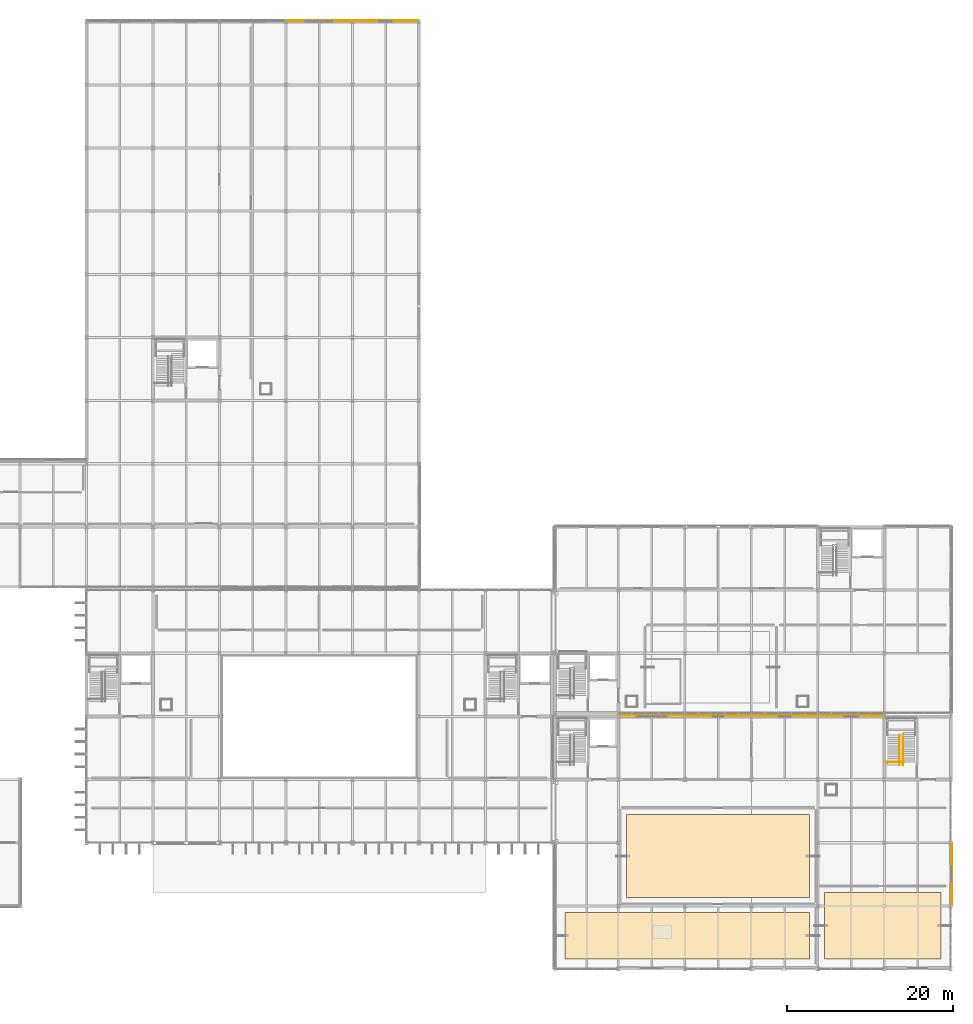
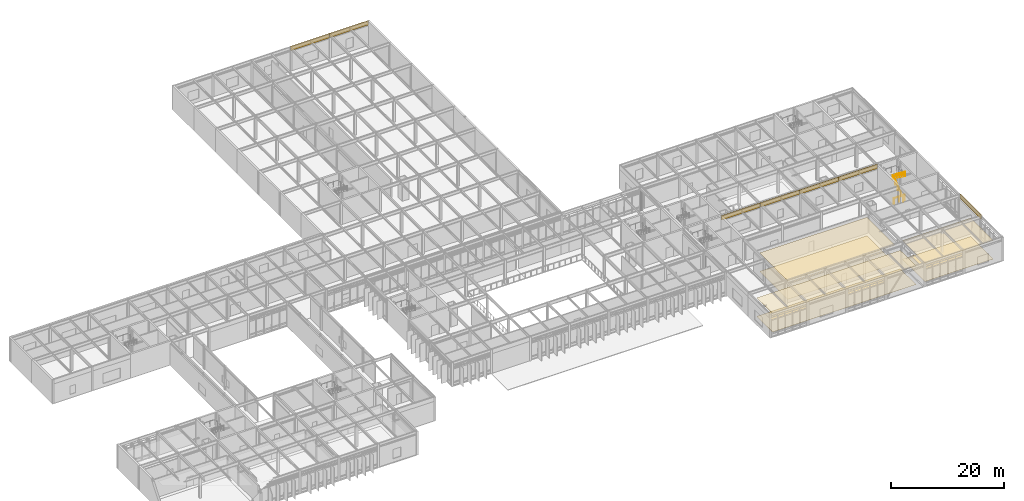
# One storey, part 93 of 94: 13 coverings, 3 railings.
"""IFC4 building model written with IfcOpenShell, lengths in metres."""

from ifc_helpers import new_model, si_unit, direction, frame, origin, origin_2d, place, context, subcontext, project, spatial, polyline, rectangle, circle, outline, extrude, material, layer, layer_set, type_object, element, save


model = new_model("IFC4")

# Units and contexts
model_context = context("Model", 3, precision=1e-05, world=origin(), true_north=direction((0.0, 1.0)))
body_context = subcontext(model_context, "Body", "Model", "MODEL_VIEW")
ifc_project = project(units=[si_unit("LENGTHUNIT", "METRE"), si_unit("AREAUNIT", "SQUARE_METRE"), si_unit("VOLUMEUNIT", "CUBIC_METRE"), si_unit("PLANEANGLEUNIT", "RADIAN"), si_unit("MASSUNIT", "GRAM", prefix="KILO")], contexts=[model_context])

# Site, building, storey
site_placement = place(None, origin())
site = spatial("IfcSite", under=ifc_project, at=site_placement, CompositionType="ELEMENT")
building_placement = place(site_placement, origin())
building = spatial("IfcBuilding", under=site, at=building_placement, Name="Zulena Civic Courthouse", CompositionType="ELEMENT")
storey_placement = place(building_placement, frame((0.0, 0.0, 5.39990234375)))
storey = spatial("IfcBuildingStorey", under=building, at=storey_placement, Name="L01", CompositionType="ELEMENT", Elevation=5.39990234375)

# Coverings
ifc_material_1 = material(Name="Perforated acoustic mineral-fibre ceiling tile", Category="concrete")
ifc_layer_1 = layer(ifc_material_1, 0.02490234375)
ifc_layer_set_1 = layer_set([ifc_layer_1], Name="Perforated acoustic mineral-fibre ceiling tile")
covering_type_1 = type_object("IfcCoveringType", Name="AcousticCeiling_25", PredefinedType="CEILING", material=ifc_layer_set_1)
covering_1_placement = place(storey_placement, frame((0.0, 0.0, 4.02001953125)))
element("IfcCovering", 1, at=covering_1_placement, inside=storey, type_object=covering_type_1, Name="ceil:L01:215", PredefinedType="CEILING", context=body_context, shape_type="SweptSolid", body=[
    extrude(outline(polyline([(133.0, 8.60009765625), (155.0, 8.60009765625), (155.0, 18.60009765625), (133.0, 18.60009765625), (133.0, 8.60009765625)])), origin(), (0.0, 0.0, 1.0), 0.025146484375),
])
covering_2_placement = place(storey_placement, frame((0.0, 0.0, 4.02001953125)))
element("IfcCovering", 2, at=covering_2_placement, inside=storey, type_object=covering_type_1, Name="ceil:L01:216", PredefinedType="CEILING", context=body_context, shape_type="SweptSolid", body=[
    extrude(outline(polyline([(125.60009765625, 1.199951171875), (155.0, 1.199951171875), (155.0, 6.800048828125), (125.60009765625, 6.800048828125), (125.60009765625, 1.199951171875)])), origin(), (0.0, 0.0, 1.0), 0.025146484375),
])
covering_3_placement = place(storey_placement, frame((0.0, 0.0, 4.02001953125)))
element("IfcCovering", 3, at=covering_3_placement, inside=storey, type_object=covering_type_1, Name="ceil:L01:217", PredefinedType="CEILING", context=body_context, shape_type="SweptSolid", body=[
    extrude(outline(polyline([(156.800048828125, 1.199951171875), (170.800048828125, 1.199951171875), (170.800048828125, 9.199951171875), (156.800048828125, 9.199951171875), (156.800048828125, 1.199951171875)])), origin(), (0.0, 0.0, 1.0), 0.025146484375),
])

# Railing
ifc_material_2 = material(Name="Brushed architectural steel ASTM A36", Category="steel")
railing_type_1 = type_object("IfcRailingType", Name="InteriorGuardrail_1150", PredefinedType="GUARDRAIL", material=ifc_material_2)
railing_1_placement = place(storey_placement, frame((164.179931640625, 24.89990234375, 0.0)))
element("IfcRailing", 4, at=railing_1_placement, inside=storey, type_object=railing_type_1, Name="gr:wells:K1B:L01", PredefinedType="GUARDRAIL", context=body_context, shape_type="SweptSolid", body=[
    extrude(circle(Radius=0.02392578125, at=origin_2d()), frame((0.00390625, 0.0, 1.1259765625), z_axis=(1.0, 0.0, 0.0), x_axis=(0.0, 1.0, 0.0)), (0.0, 0.0, 1.0), 2.112060546875),
    extrude(circle(Radius=0.02099609375, at=origin_2d()), origin(), (0.0, 0.0, 1.0), 1.097900390625),
    extrude(circle(Radius=0.02099609375, at=origin_2d()), frame((1.06005859375, 0.0, 0.0)), (0.0, 0.0, 1.0), 1.097900390625),
    extrude(circle(Radius=0.02099609375, at=origin_2d()), frame((2.1201171875, 0.0, 0.0)), (0.0, 0.0, 1.0), 1.097900390625),
])

# Coverings
ifc_material_3 = material(Name="White architectural precast concrete C40/50", Category="concrete")
ifc_layer_2 = layer(ifc_material_3, 0.0849609375)
ifc_layer_set_2 = layer_set([ifc_layer_2], Name="White architectural precast concrete C40/50")
covering_type_2 = type_object("IfcCoveringType", Name="PrecastSpandrelCladding_85", PredefinedType="CLADDING", material=ifc_layer_set_2)
for number, where, z_axis, x_axis, name in (
    (5, (136.0, 30.52001953125, 4.250244140625), (0.0, 0.0, 1.0), (1.0, 0.0, 0.0), "clad:sp:V1:L01:1:1"),
    (6, (144.0, 30.52001953125, 4.250244140625), (0.0, 0.0, 1.0), (1.0, 0.0, 0.0), "clad:sp:V1:L01:1:2"),
    (7, (152.0, 30.52001953125, 4.250244140625), (0.0, 0.0, 1.0), (1.0, 0.0, 0.0), "clad:sp:V1:L01:1:3"),
    (8, (160.0, 30.52001953125, 4.250244140625), (0.0, 0.0, 1.0), (1.0, 0.0, 0.0), "clad:sp:V1:L01:1:4"),
):
    element("IfcCovering", number, at=place(storey_placement, frame(where, z_axis=z_axis, x_axis=x_axis)), inside=storey, type_object=covering_type_2, Name=name, PredefinedType="CLADDING", context=body_context, shape_type="SweptSolid", body=[
        extrude(rectangle(XDim=7.9599609375, YDim=0.0849609375, at=origin_2d()), origin(), (0.0, 0.0, 1.0), 0.93994140625),
    ])
covering_4_placement = place(storey_placement, frame((172.1201171875, 11.39990234375, 4.250244140625), z_axis=(0.0, 0.0, 1.0), x_axis=(0.0, -1.0, 0.0)))
element("IfcCovering", 9, at=covering_4_placement, inside=storey, type_object=covering_type_2, Name="clad:sp:V1:L01:2:2", PredefinedType="CLADDING", context=body_context, shape_type="SweptSolid", body=[
    extrude(rectangle(XDim=7.56005859375, YDim=0.0849609375, at=origin_2d()), origin(), (0.0, 0.0, 1.0), 0.93994140625),
])
for number, where, z_axis, x_axis, name in (
    (10, (96.0, 114.1201171875, 4.250244140625), (0.0, 0.0, 1.0), (1.0, 0.0, 0.0), "clad:sp:V5:L01:3:3"),
    (11, (104.0, 114.1201171875, 4.250244140625), (0.0, 0.0, 1.0), (1.0, 0.0, 0.0), "clad:sp:V5:L01:3:4"),
):
    element("IfcCovering", number, at=place(storey_placement, frame(where, z_axis=z_axis, x_axis=x_axis)), inside=storey, type_object=covering_type_2, Name=name, PredefinedType="CLADDING", context=body_context, shape_type="SweptSolid", body=[
        extrude(rectangle(XDim=7.9599609375, YDim=0.0849609375, at=origin_2d()), origin(), (0.0, 0.0, 1.0), 0.93994140625),
    ])

# Railings
railing_type_2 = type_object("IfcRailingType", Name="StairHandrail_920", PredefinedType="HANDRAIL", material=ifc_material_2)
railing_2_placement = place(storey_placement, frame((165.85009765625, 24.580078125, 0.0)))
element("IfcRailing", 12, at=railing_2_placement, inside=storey, type_object=railing_type_2, Name="hr:K1B:L01:1", PredefinedType="HANDRAIL", context=body_context, shape_type="SweptSolid", body=[
    extrude(circle(Radius=0.02392578125, at=origin_2d()), frame((0.0, 0.003173828125, 0.898193359375), z_axis=(0.0, 0.797525546601, 0.603285175119), x_axis=(-1.0, 0.0, 0.0)), (0.0, 0.0, 1.0), 4.4677734375),
    extrude(circle(Radius=0.02099609375, at=origin_2d()), origin(), (0.0, 0.0, 1.0), 0.867919921875),
    extrude(circle(Radius=0.02099609375, at=origin_2d()), frame((0.0, 0.892333984375, 0.675048828125)), (0.0, 0.0, 1.0), 0.867919921875),
    extrude(circle(Radius=0.02099609375, at=origin_2d()), frame((0.0, 1.78466796875, 1.35009765625)), (0.0, 0.0, 1.0), 0.867919921875),
    extrude(circle(Radius=0.02099609375, at=origin_2d()), frame((0.0, 2.67724609375, 2.025146484375)), (0.0, 0.0, 1.0), 0.867919921875),
    extrude(circle(Radius=0.02099609375, at=origin_2d()), frame((0.0, 3.569580078125, 2.7001953125)), (0.0, 0.0, 1.0), 0.867919921875),
])
railing_3_placement = place(storey_placement, frame((166.25, 28.149658203125, 2.7001953125)))
element("IfcRailing", 13, at=railing_3_placement, inside=storey, type_object=railing_type_2, Name="hr:K1B:L01:2", PredefinedType="HANDRAIL", context=body_context, shape_type="SweptSolid", body=[
    extrude(circle(Radius=0.02392578125, at=origin_2d()), frame((0.0, -0.003173828125, 0.898193359375), z_axis=(0.0, -0.797551790998, 0.603250479218), x_axis=(1.0, 0.0, 0.0)), (0.0, 0.0, 1.0), 4.4677734375),
    extrude(circle(Radius=0.02099609375, at=origin_2d()), origin(), (0.0, 0.0, 1.0), 0.867919921875),
    extrude(circle(Radius=0.02099609375, at=origin_2d()), frame((0.0, -0.892333984375, 0.675048828125)), (0.0, 0.0, 1.0), 0.867919921875),
    extrude(circle(Radius=0.02099609375, at=origin_2d()), frame((0.0, -1.78466796875, 1.35009765625)), (0.0, 0.0, 1.0), 0.867919921875),
    extrude(circle(Radius=0.02099609375, at=origin_2d()), frame((0.0, -2.67724609375, 2.02490234375)), (0.0, 0.0, 1.0), 0.867919921875),
    extrude(circle(Radius=0.02099609375, at=origin_2d()), frame((0.0, -3.569580078125, 2.699951171875)), (0.0, 0.0, 1.0), 0.867919921875),
])

# Coverings
ifc_material_4 = material(Name="Honed travertine stone flooring", Category="masonry")
ifc_layer_3 = layer(ifc_material_4, 0.030029296875)
ifc_layer_set_3 = layer_set([ifc_layer_3], Name="Honed travertine stone flooring")
covering_type_3 = type_object("IfcCoveringType", Name="TravertineFlooring_30", PredefinedType="FLOORING", material=ifc_layer_set_3)
covering_5_placement = place(storey_placement, origin())
element("IfcCovering", 14, at=covering_5_placement, inside=storey, type_object=covering_type_3, Name="floor:L01:215", PredefinedType="FLOORING", context=body_context, shape_type="SweptSolid", body=[
    extrude(outline(polyline([(133.0, 8.60009765625), (155.0, 8.60009765625), (155.0, 18.60009765625), (133.0, 18.60009765625), (133.0, 8.60009765625)])), origin(), (0.0, 0.0, 1.0), 0.030029296875),
])
covering_6_placement = place(storey_placement, origin())
element("IfcCovering", 15, at=covering_6_placement, inside=storey, type_object=covering_type_3, Name="floor:L01:216", PredefinedType="FLOORING", context=body_context, shape_type="SweptSolid", body=[
    extrude(outline(polyline([(125.60009765625, 1.199951171875), (155.0, 1.199951171875), (155.0, 6.800048828125), (125.60009765625, 6.800048828125), (125.60009765625, 1.199951171875)])), origin(), (0.0, 0.0, 1.0), 0.030029296875),
])
covering_7_placement = place(storey_placement, origin())
element("IfcCovering", 16, at=covering_7_placement, inside=storey, type_object=covering_type_3, Name="floor:L01:217", PredefinedType="FLOORING", context=body_context, shape_type="SweptSolid", body=[
    extrude(outline(polyline([(156.800048828125, 1.199951171875), (170.800048828125, 1.199951171875), (170.800048828125, 9.199951171875), (156.800048828125, 9.199951171875), (156.800048828125, 1.199951171875)])), origin(), (0.0, 0.0, 1.0), 0.030029296875),
])

save(model, "model.ifc")
